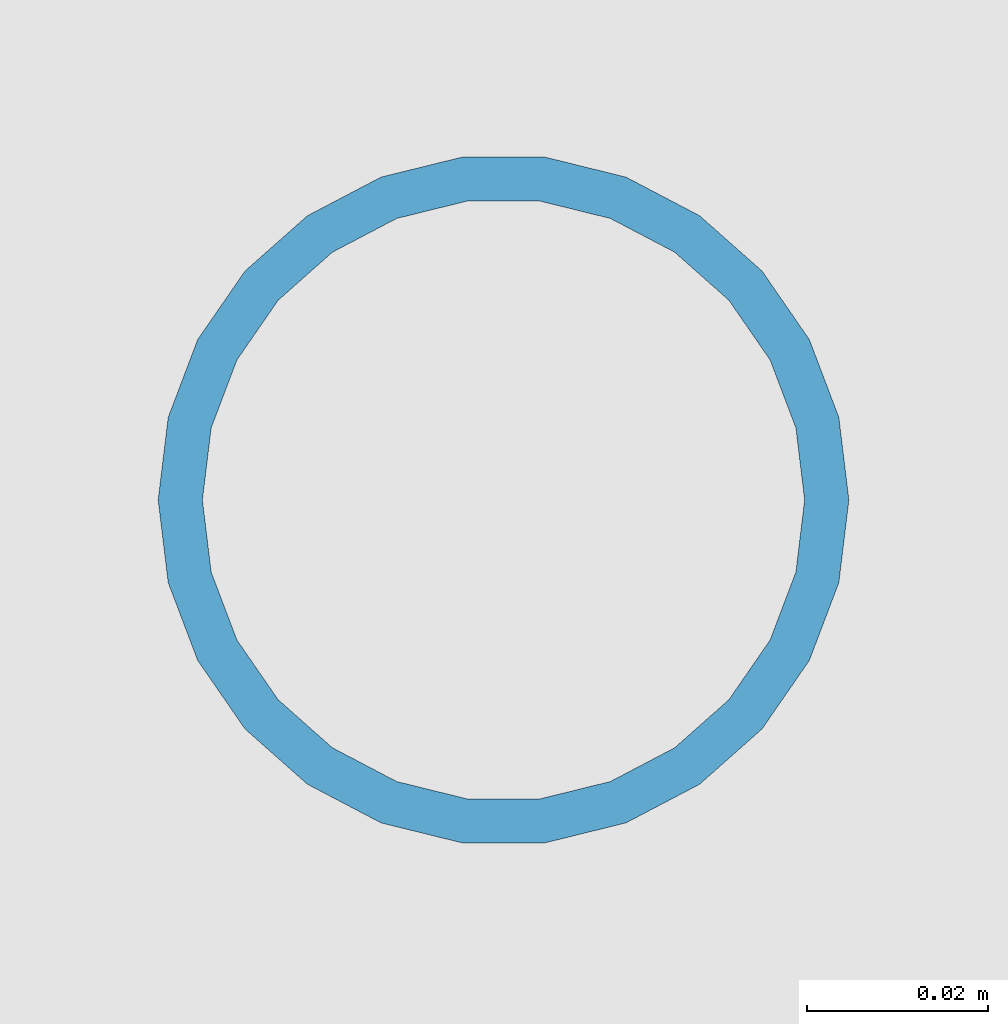
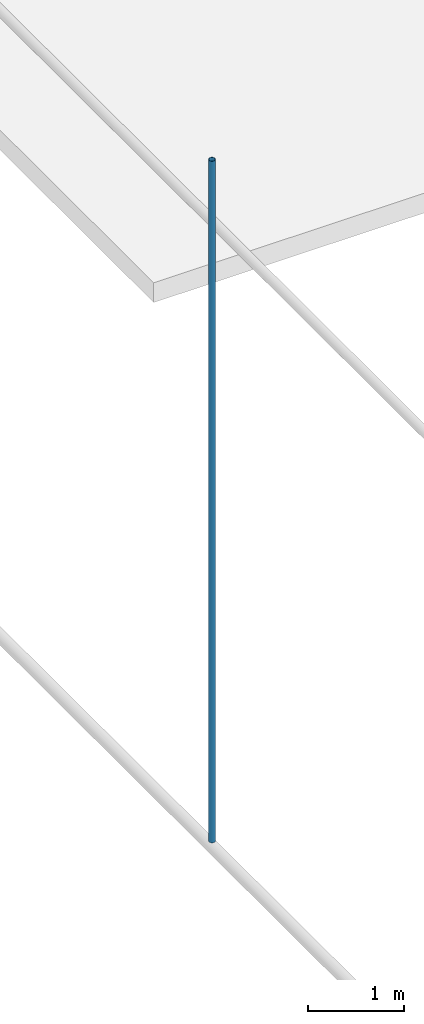
# One storey, part 32 of 109: 1 member.
"""IFC4 building model written with IfcOpenShell, lengths in metres."""

from ifc_helpers import new_model, si_unit, direction, frame, origin, origin_2d, place, context, subcontext, project, spatial, hollow_circle, extrude, material, material_profile, profile_set, type_object, element, save


model = new_model("IFC4")

# Units and contexts
model_context = context("Model", 3, precision=1e-05, world=origin(), true_north=direction((0.0, 1.0)))
body_context = subcontext(model_context, "Body", "Model", "MODEL_VIEW")
ifc_project = project(units=[si_unit("LENGTHUNIT", "METRE"), si_unit("AREAUNIT", "SQUARE_METRE"), si_unit("VOLUMEUNIT", "CUBIC_METRE"), si_unit("PLANEANGLEUNIT", "RADIAN"), si_unit("MASSUNIT", "GRAM", prefix="KILO")], contexts=[model_context])

# Site, building, storey
site_placement = place(None, origin())
site = spatial("IfcSite", under=ifc_project, at=site_placement, CompositionType="ELEMENT")
building_placement = place(site_placement, origin())
building = spatial("IfcBuilding", under=site, at=building_placement, Name="Lantern Court Research Institute", CompositionType="ELEMENT")
storey_placement = place(building_placement, frame((0.0, 0.0, 14.39990234375)))
storey = spatial("IfcBuildingStorey", under=building, at=storey_placement, Name="L03", CompositionType="ELEMENT", Elevation=14.39990234375)

# Member
ifc_material = material(Name="Structural steel S355", Category="steel")
ifc_material_profile = material_profile(ifc_material, hollow_circle(Radius=0.0380859375, WallThickness=0.0048828125, at=origin_2d()), Name="Gridshell light hanger CHS 76.1 x 5")
ifc_profile_set = profile_set([ifc_material_profile], Name="Structural steel S355")
member_type = type_object("IfcMemberType", Name="Gridshell light hanger CHS 76.1 x 5", PredefinedType="STRUT", material=ifc_profile_set)
member_placement = place(storey_placement, frame((67.8857421875, 40.125, 0.27001953125), z_axis=(0.0, 0.0, 1.0), x_axis=(1.0, 0.0, 0.0)))
element("IfcMember", 1, at=member_placement, inside=storey, type_object=member_type, Name="Gridshell hanger", PredefinedType="STRUT", context=body_context, shape_type="SweptSolid", body=[
    extrude(hollow_circle(Radius=0.0380859375, WallThickness=0.0048828125, at=origin_2d()), origin(), (0.0, 0.0, 1.0), 8.630126953125),
])

save(model, "model.ifc")
